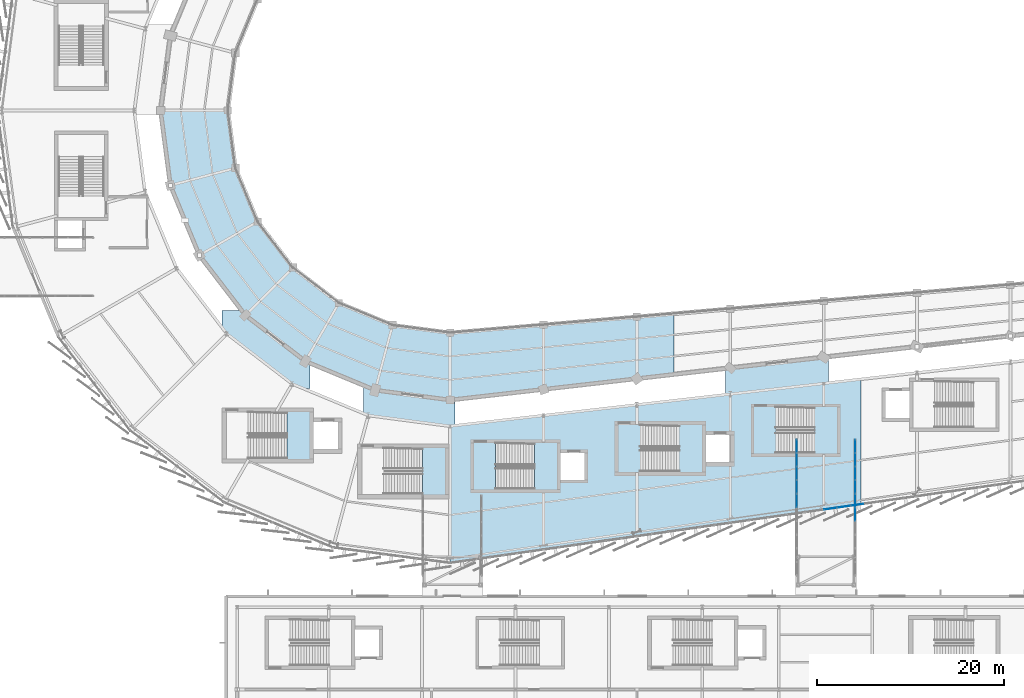
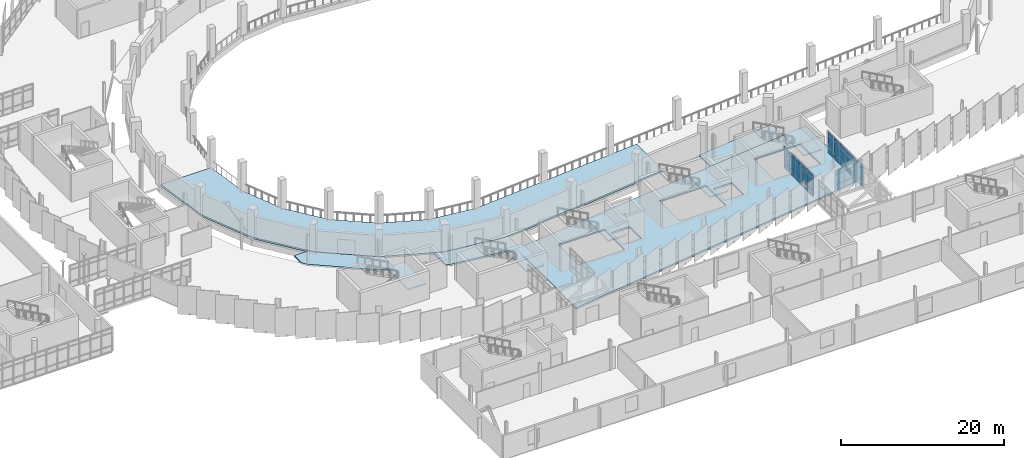
# One storey, part 85 of 125: 42 plates, 10 slabs, 8 elements without a shape of their own.
"""IFC4 building model written with IfcOpenShell, lengths in metres."""

from ifc_helpers import new_model, si_unit, direction, frame, origin, origin_2d, place, context, subcontext, project, spatial, polyline, rectangle, outline, extrude, material, layer, layer_set, type_object, element, aggregate, save


model = new_model("IFC4")

# Units and contexts
model_context = context("Model", 3, precision=1e-05, world=origin(), true_north=direction((0.0, 1.0)))
body_context = subcontext(model_context, "Body", "Model", "MODEL_VIEW")
ifc_project = project(units=[si_unit("LENGTHUNIT", "METRE"), si_unit("AREAUNIT", "SQUARE_METRE"), si_unit("VOLUMEUNIT", "CUBIC_METRE"), si_unit("PLANEANGLEUNIT", "RADIAN"), si_unit("MASSUNIT", "GRAM", prefix="KILO")], contexts=[model_context])

# Site, building, storey
site_placement = place(None, origin())
site = spatial("IfcSite", under=ifc_project, at=site_placement, CompositionType="ELEMENT")
building_placement = place(site_placement, origin())
building = spatial("IfcBuilding", under=site, at=building_placement, Name="Sohan Crest Arena", CompositionType="ELEMENT")
storey_placement = place(building_placement, frame((0.0, 0.0, 9.0)))
storey = spatial("IfcBuildingStorey", under=building, at=storey_placement, Name="L02", CompositionType="ELEMENT", Elevation=9.0)

# Curtain wall, plates
ifc_material_1 = material(Name="Thermally broken anodised aluminium", Category="aluminium")
ifc_layer_1 = layer(ifc_material_1, 0.18994140625, Name="Thermally broken anodised aluminium")
ifc_layer_set_1 = layer_set([ifc_layer_1], Name="Thermally broken anodised aluminium")
curtain_wall_type = type_object("IfcCurtainWallType", Name="ARC-CW05", PredefinedType="NOTDEFINED", material=ifc_layer_set_1)
curtain_wall_1_placement = place(storey_placement, origin())
curtain_wall_1 = element("IfcCurtainWall", 1, at=curtain_wall_1_placement, inside=storey, type_object=curtain_wall_type, Name="Unitised curtain wall CW-064", PredefinedType="NOTDEFINED")
ifc_material_2 = material(Name="Low-E double-glazed insulated glass", Category="glass")
ifc_layer_2 = layer(ifc_material_2, 0.028076171875, Name="Low-E double-glazed insulated glass")
ifc_layer_set_2 = layer_set([ifc_layer_2], Name="Low-E double-glazed insulated glass")
plate_type = type_object("IfcPlateType", Name="ARC-CNP01", PredefinedType="CURTAIN_PANEL", material=ifc_layer_set_2)
plate_1_placement = place(storey_placement, frame((138.729248046875, 35.3681640625, 0.06494140625), z_axis=(0.0, 0.0, 1.0), x_axis=(0.989943553128, 0.141462933734, 0.0)))
plate_1 = element("IfcPlate", 2, at=plate_1_placement, type_object=plate_type, Name="CW-064 panel 1.1", PredefinedType="CURTAIN_PANEL", context=body_context, shape_type="SweptSolid", body=[
    extrude(rectangle(XDim=1.35302734375, YDim=0.028076171875, at=origin_2d()), origin(), (0.0, 0.0, 1.0), 0.802490234375),
])
plate_2_placement = place(storey_placement, frame((138.729248046875, 35.3681640625, 0.932373046875), z_axis=(0.0, 0.0, 1.0), x_axis=(0.989943553128, 0.141462933734, 0.0)))
plate_2 = element("IfcPlate", 3, at=plate_2_placement, type_object=plate_type, Name="CW-064 panel 1.2", PredefinedType="CURTAIN_PANEL", context=body_context, shape_type="SweptSolid", body=[
    extrude(rectangle(XDim=1.35302734375, YDim=0.028076171875, at=origin_2d()), origin(), (0.0, 0.0, 1.0), 1.455078125),
])
plate_3_placement = place(storey_placement, frame((138.729248046875, 35.3681640625, 2.452392578125), z_axis=(0.0, 0.0, 1.0), x_axis=(0.989943553128, 0.141462933734, 0.0)))
plate_3 = element("IfcPlate", 4, at=plate_3_placement, type_object=plate_type, Name="CW-064 panel 1.3", PredefinedType="CURTAIN_PANEL", context=body_context, shape_type="SweptSolid", body=[
    extrude(rectangle(XDim=1.35302734375, YDim=0.028076171875, at=origin_2d()), origin(), (0.0, 0.0, 1.0), 0.6025390625),
])
plate_4_placement = place(storey_placement, frame((140.142822265625, 35.5703125, 0.06494140625), z_axis=(0.0, 0.0, 1.0), x_axis=(0.989943553128, 0.141462933734, 0.0)))
plate_4 = element("IfcPlate", 5, at=plate_4_placement, type_object=plate_type, Name="CW-064 panel 2.1", PredefinedType="CURTAIN_PANEL", context=body_context, shape_type="SweptSolid", body=[
    extrude(rectangle(XDim=1.383056640625, YDim=0.028076171875, at=origin_2d()), origin(), (0.0, 0.0, 1.0), 0.802490234375),
])
plate_5_placement = place(storey_placement, frame((140.142822265625, 35.5703125, 0.932373046875), z_axis=(0.0, 0.0, 1.0), x_axis=(0.989943553128, 0.141462933734, 0.0)))
plate_5 = element("IfcPlate", 6, at=plate_5_placement, type_object=plate_type, Name="CW-064 panel 2.2", PredefinedType="CURTAIN_PANEL", context=body_context, shape_type="SweptSolid", body=[
    extrude(rectangle(XDim=1.383056640625, YDim=0.028076171875, at=origin_2d()), origin(), (0.0, 0.0, 1.0), 1.455078125),
])
plate_6_placement = place(storey_placement, frame((140.142822265625, 35.5703125, 2.452392578125), z_axis=(0.0, 0.0, 1.0), x_axis=(0.989943553128, 0.141462933734, 0.0)))
plate_6 = element("IfcPlate", 7, at=plate_6_placement, type_object=plate_type, Name="CW-064 panel 2.3", PredefinedType="CURTAIN_PANEL", context=body_context, shape_type="SweptSolid", body=[
    extrude(rectangle(XDim=1.383056640625, YDim=0.028076171875, at=origin_2d()), origin(), (0.0, 0.0, 1.0), 0.6025390625),
])
plate_7_placement = place(storey_placement, frame((141.571533203125, 35.7744140625, 0.06494140625), z_axis=(0.0, 0.0, 1.0), x_axis=(0.989943553128, 0.141462933734, 0.0)))
plate_7 = element("IfcPlate", 8, at=plate_7_placement, type_object=plate_type, Name="CW-064 panel 3.1", PredefinedType="CURTAIN_PANEL", context=body_context, shape_type="SweptSolid", body=[
    extrude(rectangle(XDim=1.383056640625, YDim=0.028076171875, at=origin_2d()), origin(), (0.0, 0.0, 1.0), 0.802490234375),
])
plate_8_placement = place(storey_placement, frame((141.571533203125, 35.7744140625, 0.932373046875), z_axis=(0.0, 0.0, 1.0), x_axis=(0.989943553128, 0.141462933734, 0.0)))
plate_8 = element("IfcPlate", 9, at=plate_8_placement, type_object=plate_type, Name="CW-064 panel 3.2", PredefinedType="CURTAIN_PANEL", context=body_context, shape_type="SweptSolid", body=[
    extrude(rectangle(XDim=1.383056640625, YDim=0.028076171875, at=origin_2d()), origin(), (0.0, 0.0, 1.0), 1.455078125),
])
plate_9_placement = place(storey_placement, frame((141.571533203125, 35.7744140625, 2.452392578125), z_axis=(0.0, 0.0, 1.0), x_axis=(0.989943553128, 0.141462933734, 0.0)))
plate_9 = element("IfcPlate", 10, at=plate_9_placement, type_object=plate_type, Name="CW-064 panel 3.3", PredefinedType="CURTAIN_PANEL", context=body_context, shape_type="SweptSolid", body=[
    extrude(rectangle(XDim=1.383056640625, YDim=0.028076171875, at=origin_2d()), origin(), (0.0, 0.0, 1.0), 0.6025390625),
])
aggregate(curtain_wall_1, [plate_1, plate_2, plate_3, plate_4, plate_5, plate_6, plate_7, plate_8, plate_9])

curtain_wall_2_placement = place(storey_placement, origin())
curtain_wall_2 = element("IfcCurtainWall", 11, at=curtain_wall_2_placement, inside=storey, type_object=curtain_wall_type, Name="Unitised curtain wall CW-257", PredefinedType="NOTDEFINED")
plate_10_placement = place(storey_placement, frame((135.1201171875, 36.22998046875, 0.06005859375), z_axis=(0.0, 0.0, 1.0), x_axis=(0.0, 1.0, 0.0)))
plate_10 = element("IfcPlate", 12, at=plate_10_placement, type_object=plate_type, Name="CW-257 panel 6.1", PredefinedType="CURTAIN_PANEL", context=body_context, shape_type="SweptSolid", body=[
    extrude(rectangle(XDim=1.39501953125, YDim=0.028076171875, at=origin_2d()), origin(), (0.0, 0.0, 1.0), 0.81005859375),
])
plate_11_placement = place(storey_placement, frame((135.1201171875, 36.22998046875, 0.93017578125), z_axis=(0.0, 0.0, 1.0), x_axis=(0.0, 1.0, 0.0)))
plate_11 = element("IfcPlate", 13, at=plate_11_placement, type_object=plate_type, Name="CW-257 panel 6.2", PredefinedType="CURTAIN_PANEL", context=body_context, shape_type="SweptSolid", body=[
    extrude(rectangle(XDim=1.39501953125, YDim=0.028076171875, at=origin_2d()), origin(), (0.0, 0.0, 1.0), 1.739990234375),
])
plate_12_placement = place(storey_placement, frame((135.1201171875, 36.22998046875, 2.72998046875), z_axis=(0.0, 0.0, 1.0), x_axis=(0.0, 1.0, 0.0)))
plate_12 = element("IfcPlate", 14, at=plate_12_placement, type_object=plate_type, Name="CW-257 panel 6.3", PredefinedType="CURTAIN_PANEL", context=body_context, shape_type="SweptSolid", body=[
    extrude(rectangle(XDim=1.39501953125, YDim=0.028076171875, at=origin_2d()), origin(), (0.0, 0.0, 1.0), 0.610107421875),
])
plate_13_placement = place(storey_placement, frame((135.1201171875, 37.68994140625, 0.06005859375), z_axis=(0.0, 0.0, 1.0), x_axis=(0.0, 1.0, 0.0)))
plate_13 = element("IfcPlate", 15, at=plate_13_placement, type_object=plate_type, Name="CW-257 panel 7.1", PredefinedType="CURTAIN_PANEL", context=body_context, shape_type="SweptSolid", body=[
    extrude(rectangle(XDim=1.39501953125, YDim=0.028076171875, at=origin_2d()), origin(), (0.0, 0.0, 1.0), 0.81005859375),
])
plate_14_placement = place(storey_placement, frame((135.1201171875, 37.68994140625, 0.93017578125), z_axis=(0.0, 0.0, 1.0), x_axis=(0.0, 1.0, 0.0)))
plate_14 = element("IfcPlate", 16, at=plate_14_placement, type_object=plate_type, Name="CW-257 panel 7.2", PredefinedType="CURTAIN_PANEL", context=body_context, shape_type="SweptSolid", body=[
    extrude(rectangle(XDim=1.39501953125, YDim=0.028076171875, at=origin_2d()), origin(), (0.0, 0.0, 1.0), 1.739990234375),
])
plate_15_placement = place(storey_placement, frame((135.1201171875, 37.68994140625, 2.72998046875), z_axis=(0.0, 0.0, 1.0), x_axis=(0.0, 1.0, 0.0)))
plate_15 = element("IfcPlate", 17, at=plate_15_placement, type_object=plate_type, Name="CW-257 panel 7.3", PredefinedType="CURTAIN_PANEL", context=body_context, shape_type="SweptSolid", body=[
    extrude(rectangle(XDim=1.39501953125, YDim=0.028076171875, at=origin_2d()), origin(), (0.0, 0.0, 1.0), 0.610107421875),
])
plate_16_placement = place(storey_placement, frame((135.1201171875, 39.14990234375, 0.06005859375), z_axis=(0.0, 0.0, 1.0), x_axis=(0.0, 1.0, 0.0)))
plate_16 = element("IfcPlate", 18, at=plate_16_placement, type_object=plate_type, Name="CW-257 panel 8.1", PredefinedType="CURTAIN_PANEL", context=body_context, shape_type="SweptSolid", body=[
    extrude(rectangle(XDim=1.39501953125, YDim=0.028076171875, at=origin_2d()), origin(), (0.0, 0.0, 1.0), 0.81005859375),
])
plate_17_placement = place(storey_placement, frame((135.1201171875, 39.14990234375, 0.93017578125), z_axis=(0.0, 0.0, 1.0), x_axis=(0.0, 1.0, 0.0)))
plate_17 = element("IfcPlate", 19, at=plate_17_placement, type_object=plate_type, Name="CW-257 panel 8.2", PredefinedType="CURTAIN_PANEL", context=body_context, shape_type="SweptSolid", body=[
    extrude(rectangle(XDim=1.39501953125, YDim=0.028076171875, at=origin_2d()), origin(), (0.0, 0.0, 1.0), 1.739990234375),
])
plate_18_placement = place(storey_placement, frame((135.1201171875, 39.14990234375, 2.72998046875), z_axis=(0.0, 0.0, 1.0), x_axis=(0.0, 1.0, 0.0)))
plate_18 = element("IfcPlate", 20, at=plate_18_placement, type_object=plate_type, Name="CW-257 panel 8.3", PredefinedType="CURTAIN_PANEL", context=body_context, shape_type="SweptSolid", body=[
    extrude(rectangle(XDim=1.39501953125, YDim=0.028076171875, at=origin_2d()), origin(), (0.0, 0.0, 1.0), 0.610107421875),
])
plate_19_placement = place(storey_placement, frame((135.1201171875, 40.610107421875, 0.06005859375), z_axis=(0.0, 0.0, 1.0), x_axis=(0.0, 1.0, 0.0)))
plate_19 = element("IfcPlate", 21, at=plate_19_placement, type_object=plate_type, Name="CW-257 panel 9.1", PredefinedType="CURTAIN_PANEL", context=body_context, shape_type="SweptSolid", body=[
    extrude(rectangle(XDim=1.39501953125, YDim=0.028076171875, at=origin_2d()), origin(), (0.0, 0.0, 1.0), 0.81005859375),
])
plate_20_placement = place(storey_placement, frame((135.1201171875, 40.610107421875, 0.93017578125), z_axis=(0.0, 0.0, 1.0), x_axis=(0.0, 1.0, 0.0)))
plate_20 = element("IfcPlate", 22, at=plate_20_placement, type_object=plate_type, Name="CW-257 panel 9.2", PredefinedType="CURTAIN_PANEL", context=body_context, shape_type="SweptSolid", body=[
    extrude(rectangle(XDim=1.39501953125, YDim=0.028076171875, at=origin_2d()), origin(), (0.0, 0.0, 1.0), 1.739990234375),
])
plate_21_placement = place(storey_placement, frame((135.1201171875, 40.610107421875, 2.72998046875), z_axis=(0.0, 0.0, 1.0), x_axis=(0.0, 1.0, 0.0)))
plate_21 = element("IfcPlate", 23, at=plate_21_placement, type_object=plate_type, Name="CW-257 panel 9.3", PredefinedType="CURTAIN_PANEL", context=body_context, shape_type="SweptSolid", body=[
    extrude(rectangle(XDim=1.39501953125, YDim=0.028076171875, at=origin_2d()), origin(), (0.0, 0.0, 1.0), 0.610107421875),
])
plate_22_placement = place(storey_placement, frame((135.1201171875, 42.0537109375, 0.06005859375), z_axis=(0.0, 0.0, 1.0), x_axis=(0.0, 1.0, 0.0)))
plate_22 = element("IfcPlate", 24, at=plate_22_placement, type_object=plate_type, Name="CW-257 panel 10.1", PredefinedType="CURTAIN_PANEL", context=body_context, shape_type="SweptSolid", body=[
    extrude(rectangle(XDim=1.362548828125, YDim=0.028076171875, at=origin_2d()), origin(), (0.0, 0.0, 1.0), 0.81005859375),
])
plate_23_placement = place(storey_placement, frame((135.1201171875, 42.0537109375, 0.93017578125), z_axis=(0.0, 0.0, 1.0), x_axis=(0.0, 1.0, 0.0)))
plate_23 = element("IfcPlate", 25, at=plate_23_placement, type_object=plate_type, Name="CW-257 panel 10.2", PredefinedType="CURTAIN_PANEL", context=body_context, shape_type="SweptSolid", body=[
    extrude(rectangle(XDim=1.362548828125, YDim=0.028076171875, at=origin_2d()), origin(), (0.0, 0.0, 1.0), 1.739990234375),
])
plate_24_placement = place(storey_placement, frame((135.1201171875, 42.0537109375, 2.72998046875), z_axis=(0.0, 0.0, 1.0), x_axis=(0.0, 1.0, 0.0)))
plate_24 = element("IfcPlate", 26, at=plate_24_placement, type_object=plate_type, Name="CW-257 panel 10.3", PredefinedType="CURTAIN_PANEL", context=body_context, shape_type="SweptSolid", body=[
    extrude(rectangle(XDim=1.362548828125, YDim=0.028076171875, at=origin_2d()), origin(), (0.0, 0.0, 1.0), 0.610107421875),
])
aggregate(curtain_wall_2, [plate_10, plate_11, plate_12, plate_13, plate_14, plate_15, plate_16, plate_17, plate_18, plate_19, plate_20, plate_21, plate_22, plate_23, plate_24])

curtain_wall_3_placement = place(storey_placement, origin())
curtain_wall_3 = element("IfcCurtainWall", 27, at=curtain_wall_3_placement, inside=storey, type_object=curtain_wall_type, Name="Unitised curtain wall CW-258", PredefinedType="NOTDEFINED")
plate_25_placement = place(storey_placement, frame((141.3798828125, 34.77001953125, 0.06005859375), z_axis=(0.0, 0.0, 1.0), x_axis=(0.0, 1.0, 0.0)))
plate_25 = element("IfcPlate", 28, at=plate_25_placement, type_object=plate_type, Name="CW-258 panel 5.1", PredefinedType="CURTAIN_PANEL", context=body_context, shape_type="SweptSolid", body=[
    extrude(rectangle(XDim=1.39501953125, YDim=0.028076171875, at=origin_2d()), origin(), (0.0, 0.0, 1.0), 0.81005859375),
])
plate_26_placement = place(storey_placement, frame((141.3798828125, 34.77001953125, 0.93017578125), z_axis=(0.0, 0.0, 1.0), x_axis=(0.0, 1.0, 0.0)))
plate_26 = element("IfcPlate", 29, at=plate_26_placement, type_object=plate_type, Name="CW-258 panel 5.2", PredefinedType="CURTAIN_PANEL", context=body_context, shape_type="SweptSolid", body=[
    extrude(rectangle(XDim=1.39501953125, YDim=0.028076171875, at=origin_2d()), origin(), (0.0, 0.0, 1.0), 1.739990234375),
])
plate_27_placement = place(storey_placement, frame((141.3798828125, 34.77001953125, 2.72998046875), z_axis=(0.0, 0.0, 1.0), x_axis=(0.0, 1.0, 0.0)))
plate_27 = element("IfcPlate", 30, at=plate_27_placement, type_object=plate_type, Name="CW-258 panel 5.3", PredefinedType="CURTAIN_PANEL", context=body_context, shape_type="SweptSolid", body=[
    extrude(rectangle(XDim=1.39501953125, YDim=0.028076171875, at=origin_2d()), origin(), (0.0, 0.0, 1.0), 0.610107421875),
])
plate_28_placement = place(storey_placement, frame((141.3798828125, 36.22998046875, 0.06005859375), z_axis=(0.0, 0.0, 1.0), x_axis=(0.0, 1.0, 0.0)))
plate_28 = element("IfcPlate", 31, at=plate_28_placement, type_object=plate_type, Name="CW-258 panel 6.1", PredefinedType="CURTAIN_PANEL", context=body_context, shape_type="SweptSolid", body=[
    extrude(rectangle(XDim=1.39501953125, YDim=0.028076171875, at=origin_2d()), origin(), (0.0, 0.0, 1.0), 0.81005859375),
])
plate_29_placement = place(storey_placement, frame((141.3798828125, 36.22998046875, 0.93017578125), z_axis=(0.0, 0.0, 1.0), x_axis=(0.0, 1.0, 0.0)))
plate_29 = element("IfcPlate", 32, at=plate_29_placement, type_object=plate_type, Name="CW-258 panel 6.2", PredefinedType="CURTAIN_PANEL", context=body_context, shape_type="SweptSolid", body=[
    extrude(rectangle(XDim=1.39501953125, YDim=0.028076171875, at=origin_2d()), origin(), (0.0, 0.0, 1.0), 1.739990234375),
])
plate_30_placement = place(storey_placement, frame((141.3798828125, 36.22998046875, 2.72998046875), z_axis=(0.0, 0.0, 1.0), x_axis=(0.0, 1.0, 0.0)))
plate_30 = element("IfcPlate", 33, at=plate_30_placement, type_object=plate_type, Name="CW-258 panel 6.3", PredefinedType="CURTAIN_PANEL", context=body_context, shape_type="SweptSolid", body=[
    extrude(rectangle(XDim=1.39501953125, YDim=0.028076171875, at=origin_2d()), origin(), (0.0, 0.0, 1.0), 0.610107421875),
])
plate_31_placement = place(storey_placement, frame((141.3798828125, 37.68994140625, 0.06005859375), z_axis=(0.0, 0.0, 1.0), x_axis=(0.0, 1.0, 0.0)))
plate_31 = element("IfcPlate", 34, at=plate_31_placement, type_object=plate_type, Name="CW-258 panel 7.1", PredefinedType="CURTAIN_PANEL", context=body_context, shape_type="SweptSolid", body=[
    extrude(rectangle(XDim=1.39501953125, YDim=0.028076171875, at=origin_2d()), origin(), (0.0, 0.0, 1.0), 0.81005859375),
])
plate_32_placement = place(storey_placement, frame((141.3798828125, 37.68994140625, 0.93017578125), z_axis=(0.0, 0.0, 1.0), x_axis=(0.0, 1.0, 0.0)))
plate_32 = element("IfcPlate", 35, at=plate_32_placement, type_object=plate_type, Name="CW-258 panel 7.2", PredefinedType="CURTAIN_PANEL", context=body_context, shape_type="SweptSolid", body=[
    extrude(rectangle(XDim=1.39501953125, YDim=0.028076171875, at=origin_2d()), origin(), (0.0, 0.0, 1.0), 1.739990234375),
])
plate_33_placement = place(storey_placement, frame((141.3798828125, 37.68994140625, 2.72998046875), z_axis=(0.0, 0.0, 1.0), x_axis=(0.0, 1.0, 0.0)))
plate_33 = element("IfcPlate", 36, at=plate_33_placement, type_object=plate_type, Name="CW-258 panel 7.3", PredefinedType="CURTAIN_PANEL", context=body_context, shape_type="SweptSolid", body=[
    extrude(rectangle(XDim=1.39501953125, YDim=0.028076171875, at=origin_2d()), origin(), (0.0, 0.0, 1.0), 0.610107421875),
])
plate_34_placement = place(storey_placement, frame((141.3798828125, 39.14990234375, 0.06005859375), z_axis=(0.0, 0.0, 1.0), x_axis=(0.0, 1.0, 0.0)))
plate_34 = element("IfcPlate", 37, at=plate_34_placement, type_object=plate_type, Name="CW-258 panel 8.1", PredefinedType="CURTAIN_PANEL", context=body_context, shape_type="SweptSolid", body=[
    extrude(rectangle(XDim=1.39501953125, YDim=0.028076171875, at=origin_2d()), origin(), (0.0, 0.0, 1.0), 0.81005859375),
])
plate_35_placement = place(storey_placement, frame((141.3798828125, 39.14990234375, 0.93017578125), z_axis=(0.0, 0.0, 1.0), x_axis=(0.0, 1.0, 0.0)))
plate_35 = element("IfcPlate", 38, at=plate_35_placement, type_object=plate_type, Name="CW-258 panel 8.2", PredefinedType="CURTAIN_PANEL", context=body_context, shape_type="SweptSolid", body=[
    extrude(rectangle(XDim=1.39501953125, YDim=0.028076171875, at=origin_2d()), origin(), (0.0, 0.0, 1.0), 1.739990234375),
])
plate_36_placement = place(storey_placement, frame((141.3798828125, 39.14990234375, 2.72998046875), z_axis=(0.0, 0.0, 1.0), x_axis=(0.0, 1.0, 0.0)))
plate_36 = element("IfcPlate", 39, at=plate_36_placement, type_object=plate_type, Name="CW-258 panel 8.3", PredefinedType="CURTAIN_PANEL", context=body_context, shape_type="SweptSolid", body=[
    extrude(rectangle(XDim=1.39501953125, YDim=0.028076171875, at=origin_2d()), origin(), (0.0, 0.0, 1.0), 0.610107421875),
])
plate_37_placement = place(storey_placement, frame((141.3798828125, 40.610107421875, 0.06005859375), z_axis=(0.0, 0.0, 1.0), x_axis=(0.0, 1.0, 0.0)))
plate_37 = element("IfcPlate", 40, at=plate_37_placement, type_object=plate_type, Name="CW-258 panel 9.1", PredefinedType="CURTAIN_PANEL", context=body_context, shape_type="SweptSolid", body=[
    extrude(rectangle(XDim=1.39501953125, YDim=0.028076171875, at=origin_2d()), origin(), (0.0, 0.0, 1.0), 0.81005859375),
])
plate_38_placement = place(storey_placement, frame((141.3798828125, 40.610107421875, 0.93017578125), z_axis=(0.0, 0.0, 1.0), x_axis=(0.0, 1.0, 0.0)))
plate_38 = element("IfcPlate", 41, at=plate_38_placement, type_object=plate_type, Name="CW-258 panel 9.2", PredefinedType="CURTAIN_PANEL", context=body_context, shape_type="SweptSolid", body=[
    extrude(rectangle(XDim=1.39501953125, YDim=0.028076171875, at=origin_2d()), origin(), (0.0, 0.0, 1.0), 1.739990234375),
])
plate_39_placement = place(storey_placement, frame((141.3798828125, 40.610107421875, 2.72998046875), z_axis=(0.0, 0.0, 1.0), x_axis=(0.0, 1.0, 0.0)))
plate_39 = element("IfcPlate", 42, at=plate_39_placement, type_object=plate_type, Name="CW-258 panel 9.3", PredefinedType="CURTAIN_PANEL", context=body_context, shape_type="SweptSolid", body=[
    extrude(rectangle(XDim=1.39501953125, YDim=0.028076171875, at=origin_2d()), origin(), (0.0, 0.0, 1.0), 0.610107421875),
])
plate_40_placement = place(storey_placement, frame((141.3798828125, 42.0537109375, 0.06005859375), z_axis=(0.0, 0.0, 1.0), x_axis=(0.0, 1.0, 0.0)))
plate_40 = element("IfcPlate", 43, at=plate_40_placement, type_object=plate_type, Name="CW-258 panel 10.1", PredefinedType="CURTAIN_PANEL", context=body_context, shape_type="SweptSolid", body=[
    extrude(rectangle(XDim=1.362548828125, YDim=0.028076171875, at=origin_2d()), origin(), (0.0, 0.0, 1.0), 0.81005859375),
])
plate_41_placement = place(storey_placement, frame((141.3798828125, 42.0537109375, 0.93017578125), z_axis=(0.0, 0.0, 1.0), x_axis=(0.0, 1.0, 0.0)))
plate_41 = element("IfcPlate", 44, at=plate_41_placement, type_object=plate_type, Name="CW-258 panel 10.2", PredefinedType="CURTAIN_PANEL", context=body_context, shape_type="SweptSolid", body=[
    extrude(rectangle(XDim=1.362548828125, YDim=0.028076171875, at=origin_2d()), origin(), (0.0, 0.0, 1.0), 1.739990234375),
])
plate_42_placement = place(storey_placement, frame((141.3798828125, 42.0537109375, 2.72998046875), z_axis=(0.0, 0.0, 1.0), x_axis=(0.0, 1.0, 0.0)))
plate_42 = element("IfcPlate", 45, at=plate_42_placement, type_object=plate_type, Name="CW-258 panel 10.3", PredefinedType="CURTAIN_PANEL", context=body_context, shape_type="SweptSolid", body=[
    extrude(rectangle(XDim=1.362548828125, YDim=0.028076171875, at=origin_2d()), origin(), (0.0, 0.0, 1.0), 0.610107421875),
])
aggregate(curtain_wall_3, [plate_25, plate_26, plate_27, plate_28, plate_29, plate_30, plate_31, plate_32, plate_33, plate_34, plate_35, plate_36, plate_37, plate_38, plate_39, plate_40, plate_41, plate_42])

# Slabs
ifc_material_3 = material(Name="Concrete C40/50", Category="concrete")
ifc_layer_3 = layer(ifc_material_3, 0.25, Name="Concrete C40/50")
ifc_layer_set_3 = layer_set([ifc_layer_3], Name="Concrete C40/50")
slab_type_1 = type_object("IfcSlabType", Name="SL-FLR3", PredefinedType="FLOOR", material=ifc_layer_set_3)
slab_1_placement = place(storey_placement, frame((0.0, 0.0, -0.25)))
element("IfcSlab", 46, at=slab_1_placement, inside=storey, type_object=slab_type_1, Name="Bowl vomitory ring L02 Q3 SL-L02-V1Q3", PredefinedType="FLOOR", context=body_context, shape_type="SweptSolid", body=[
    extrude(outline(polyline([(122.0, 49.742919921875), (98.0, 47.0), (89.97705078125, 48.055908203125), (82.5, 51.153076171875), (76.080078125, 56.080078125), (71.153076171875, 62.5), (68.055908203125, 69.97705078125), (67.0, 78.0), (74.199951171875, 78.0), (75.010986328125, 71.840087890625), (77.388916015625, 66.10009765625), (81.1708984375, 61.1708984375), (86.10009765625, 57.388916015625), (91.840087890625, 55.010986328125), (98.0, 54.199951171875), (122.0, 56.257080078125), (122.0, 49.742919921875)])), origin(), (0.0, 0.0, 1.0), 0.25),
])
slab_2_placement = place(storey_placement, frame((0.0, 0.0, -0.25)))
element("IfcSlab", 47, at=slab_2_placement, inside=storey, type_object=slab_type_1, Name="Concourse ring L02 sector 4 SL-L02-V2S4", PredefinedType="FLOOR", context=body_context, shape_type="SweptSolid", body=[
    extrude(outline(polyline([(142.0, 35.8359375), (98.0, 29.550048828125), (98.0, 44.199951171875), (142.0, 49.22802734375), (142.0, 35.8359375)]), holes=[polyline([(109.449951171875, 42.39990234375), (102.8701171875, 42.39990234375), (102.8701171875, 37.39990234375), (109.449951171875, 37.39990234375), (109.449951171875, 42.39990234375)]), polyline([(112.39990234375, 38.449951171875), (112.39990234375, 41.35009765625), (109.800048828125, 41.35009765625), (109.800048828125, 38.449951171875), (112.39990234375, 38.449951171875)]), polyline([(124.949951171875, 44.300048828125), (118.3701171875, 44.300048828125), (118.3701171875, 39.300048828125), (124.949951171875, 39.300048828125), (124.949951171875, 44.300048828125)]), polyline([(128.0, 40.35009765625), (128.0, 43.25), (125.39990234375, 43.25), (125.39990234375, 40.35009765625), (128.0, 40.35009765625)]), polyline([(132.8701171875, 41.25), (139.449951171875, 41.25), (139.449951171875, 46.25), (132.8701171875, 46.25), (132.8701171875, 41.25)])]), origin(), (0.0, 0.0, 1.0), 0.25),
])
slab_3_placement = place(storey_placement, frame((0.0, 0.0, -0.25)))
element("IfcSlab", 48, at=slab_3_placement, inside=storey, type_object=slab_type_1, Name="Seismic joint threshold slab L02 SL-TH-L02-09", PredefinedType="FLOOR", context=body_context, shape_type="SweptSolid", body=[
    extrude(outline(polyline([(81.10009765625, 48.72802734375), (74.10009765625, 54.10009765625), (73.60009765625, 54.751953125), (73.60009765625, 56.580078125), (75.696044921875, 56.580078125), (76.080078125, 56.080078125), (82.5, 51.153076171875), (83.0, 50.946044921875), (83.0, 48.22802734375), (82.306884765625, 48.22802734375), (81.10009765625, 48.72802734375)])), origin(), (0.0, 0.0, 1.0), 0.25),
])
slab_4_placement = place(storey_placement, frame((0.0, 0.0, -0.25)))
element("IfcSlab", 49, at=slab_4_placement, inside=storey, type_object=slab_type_1, Name="Seismic joint threshold slab L02 SL-TH-L02-11", PredefinedType="FLOOR", context=body_context, shape_type="SweptSolid", body=[
    extrude(outline(polyline([(98.0, 44.199951171875), (89.251953125, 45.35205078125), (88.751953125, 45.55908203125), (88.751953125, 48.555908203125), (88.77001953125, 48.555908203125), (89.97705078125, 48.055908203125), (98.0, 47.0), (98.5, 47.056884765625), (98.5, 44.257080078125), (98.0, 44.199951171875)])), origin(), (0.0, 0.0, 1.0), 0.25),
])
slab_5_placement = place(storey_placement, frame((0.0, 0.0, -0.25)))
element("IfcSlab", 50, at=slab_5_placement, inside=storey, type_object=slab_type_1, Name="Seismic joint threshold slab L02 SL-TH-L02-15", PredefinedType="FLOOR", context=body_context, shape_type="SweptSolid", body=[
    extrude(outline(polyline([(138.5, 48.827880859375), (127.5, 47.572021484375), (127.5, 50.3720703125), (138.5, 51.6279296875), (138.5, 48.827880859375)])), origin(), (0.0, 0.0, 1.0), 0.25),
])

# Stair, slab
stair_type_1 = type_object("IfcStairType", Name="ST-450", PredefinedType="TWO_STRAIGHT_RUN_STAIR", material=ifc_material_3)
stair_1_placement = place(storey_placement, origin())
stair_1 = element("IfcStair", 51, at=stair_1_placement, inside=storey, type_object=stair_type_1, Name="Protected exit stair ST03-L02", PredefinedType="TWO_STRAIGHT_RUN_STAIR")
ifc_layer_4 = layer(ifc_material_3, 0.199951171875, Name="Concrete C40/50")
ifc_layer_set_4 = layer_set([ifc_layer_4], Name="Concrete C40/50")
slab_type_2 = type_object("IfcSlabType", Name="SL-LND1", PredefinedType="LANDING", material=ifc_layer_set_4)
slab_6_placement = place(storey_placement, frame((0.0, 0.0, 2.050048828125)))
slab_6 = element("IfcSlab", 52, at=slab_6_placement, type_object=slab_type_2, Name="ST03-L02 landing 1", PredefinedType="LANDING", context=body_context, shape_type="SweptSolid", body=[
    extrude(outline(polyline([(80.530029296875, 40.550048828125), (83.10009765625, 40.550048828125), (83.10009765625, 45.85009765625), (80.530029296875, 45.85009765625), (80.530029296875, 40.550048828125)])), origin(), (0.0, 0.0, 1.0), 0.199951171875),
])
aggregate(stair_1, [slab_6])

stair_2_placement = place(storey_placement, origin())
stair_2 = element("IfcStair", 53, at=stair_2_placement, inside=storey, type_object=stair_type_1, Name="Protected exit stair ST05-L02", PredefinedType="TWO_STRAIGHT_RUN_STAIR")
slab_7_placement = place(storey_placement, frame((0.0, 0.0, 2.050048828125)))
slab_7 = element("IfcSlab", 54, at=slab_7_placement, type_object=slab_type_2, Name="ST05-L02 landing 1", PredefinedType="LANDING", context=body_context, shape_type="SweptSolid", body=[
    extrude(outline(polyline([(107.030029296875, 37.25), (109.60009765625, 37.25), (109.60009765625, 42.550048828125), (107.030029296875, 42.550048828125), (107.030029296875, 37.25)])), origin(), (0.0, 0.0, 1.0), 0.199951171875),
])
aggregate(stair_2, [slab_7])

stair_3_placement = place(storey_placement, origin())
stair_3 = element("IfcStair", 55, at=stair_3_placement, inside=storey, type_object=stair_type_1, Name="Protected exit stair ST07-L02", PredefinedType="TWO_STRAIGHT_RUN_STAIR")
slab_8_placement = place(storey_placement, frame((0.0, 0.0, 2.050048828125)))
slab_8 = element("IfcSlab", 56, at=slab_8_placement, type_object=slab_type_2, Name="ST07-L02 landing 1", PredefinedType="LANDING", context=body_context, shape_type="SweptSolid", body=[
    extrude(outline(polyline([(122.530029296875, 39.14990234375), (125.10009765625, 39.14990234375), (125.10009765625, 44.449951171875), (122.530029296875, 44.449951171875), (122.530029296875, 39.14990234375)])), origin(), (0.0, 0.0, 1.0), 0.199951171875),
])
aggregate(stair_3, [slab_8])

stair_type_2 = type_object("IfcStairType", Name="ST-450W", PredefinedType="TWO_STRAIGHT_RUN_STAIR", material=ifc_material_3)
stair_4_placement = place(storey_placement, origin())
stair_4 = element("IfcStair", 57, at=stair_4_placement, inside=storey, type_object=stair_type_2, Name="Protected exit stair ST19-L02", PredefinedType="TWO_STRAIGHT_RUN_STAIR")
slab_9_placement = place(storey_placement, frame((0.0, 0.0, 2.050048828125)))
slab_9 = element("IfcSlab", 58, at=slab_9_placement, type_object=slab_type_2, Name="ST19-L02 landing 1", PredefinedType="LANDING", context=body_context, shape_type="SweptSolid", body=[
    extrude(outline(polyline([(95.030029296875, 36.7099609375), (97.60009765625, 36.7099609375), (97.60009765625, 42.010009765625), (95.030029296875, 42.010009765625), (95.030029296875, 36.7099609375)])), origin(), (0.0, 0.0, 1.0), 0.199951171875),
])
aggregate(stair_4, [slab_9])

stair_5_placement = place(storey_placement, origin())
stair_5 = element("IfcStair", 59, at=stair_5_placement, inside=storey, type_object=stair_type_2, Name="Protected exit stair ST21-L02", PredefinedType="TWO_STRAIGHT_RUN_STAIR")
slab_10_placement = place(storey_placement, frame((0.0, 0.0, 2.050048828125)))
slab_10 = element("IfcSlab", 60, at=slab_10_placement, type_object=slab_type_2, Name="ST21-L02 landing 1", PredefinedType="LANDING", context=body_context, shape_type="SweptSolid", body=[
    extrude(outline(polyline([(137.030029296875, 41.10009765625), (139.60009765625, 41.10009765625), (139.60009765625, 46.39990234375), (137.030029296875, 46.39990234375), (137.030029296875, 41.10009765625)])), origin(), (0.0, 0.0, 1.0), 0.199951171875),
])
aggregate(stair_5, [slab_10])

save(model, "model.ifc")
